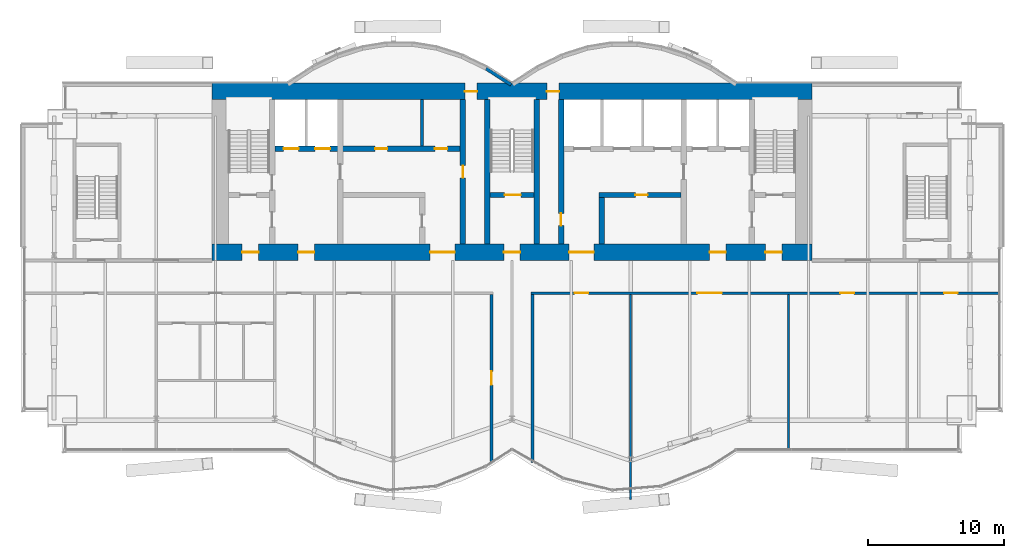
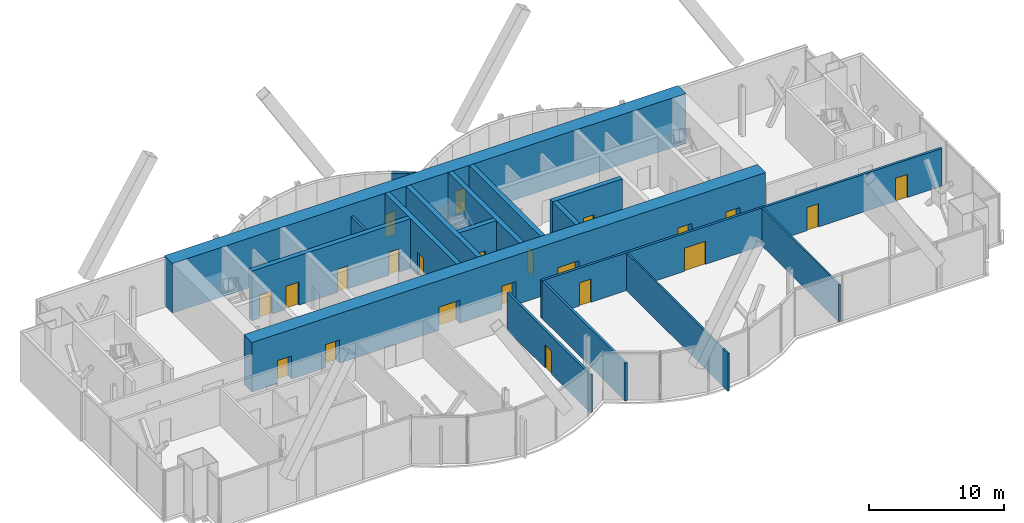
# One storey, part 14 of 19: 22 doors, 17 walls, 22 openings.
"""IFC4 building model written with IfcOpenShell, lengths in metres."""

from ifc_helpers import new_model, si_unit, direction, frame, frame_2d, origin, place, context, subcontext, project, spatial, rectangle, extrude, material, layer, layer_set, layer_usage, type_object, element, fill, save


model = new_model("IFC4")

# Units and contexts
model_context = context("Model", 3, precision=1e-05, world=origin(), true_north=direction((0.0, 1.0)))
body_context = subcontext(model_context, "Body", "Model", "MODEL_VIEW")
ifc_project = project(units=[si_unit("LENGTHUNIT", "METRE"), si_unit("AREAUNIT", "SQUARE_METRE"), si_unit("VOLUMEUNIT", "CUBIC_METRE"), si_unit("PLANEANGLEUNIT", "RADIAN"), si_unit("MASSUNIT", "GRAM", prefix="KILO")], contexts=[model_context])

# Site, building, storey
site_placement = place(None, origin())
site = spatial("IfcSite", under=ifc_project, at=site_placement, CompositionType="ELEMENT")
building_placement = place(site_placement, origin())
building = spatial("IfcBuilding", under=site, at=building_placement, Name="Bicima Exchange Tower", CompositionType="ELEMENT")
storey_placement = place(building_placement, frame((0.0, 0.0, 297.5)))
storey = spatial("IfcBuildingStorey", under=building, at=storey_placement, Name="L67", CompositionType="ELEMENT", Elevation=297.5)

# Wall, openings, doors
ifc_material_1 = material(Name="Gypsum board partition")
ifc_layer_1 = layer(ifc_material_1, 0.199951171875)
ifc_layer_set_1 = layer_set([ifc_layer_1], Name="Gypsum board partition")
wall_type_1 = type_object("IfcWallType", Name="Fire-rated gypsum partition 200 EI60", PredefinedType="PARTITIONING", material=ifc_layer_set_1)
wall_1_placement = place(storey_placement, frame((1.39990234375, -15.39990234375, 0.0), z_axis=(0.0, 0.0, 1.0), x_axis=(1.0, 0.0, 0.0)))
wall_1 = element("IfcWall", 1, at=wall_1_placement, inside=storey, type_object=wall_type_1, Name="partition wall 4", PredefinedType="PARTITIONING", context=body_context, shape_type="SweptSolid", body=[
    extrude(rectangle(XDim=34.280029296875, YDim=0.199951171875, at=frame_2d((17.14013671875, 0.0))), origin(), (0.0, 0.0, 1.0), 3.418212890625),
])
opening_1_placement = place(wall_1_placement, frame((3.199951171875, 0.0, 0.0)))
opening_1 = element("IfcOpeningElement", 2, at=opening_1_placement, cuts=wall_1, Name="Opening L67-015", PredefinedType="OPENING", context=body_context, shape_type="SweptSolid", body=[
    extrude(rectangle(XDim=1.0, YDim=2.10009765625, at=frame_2d((0.5, 1.050048828125))), frame((0.0, 0.11181640625, 0.0), z_axis=(0.0, -1.0, 0.0), x_axis=(1.0, 0.0, 0.0)), (0.0, 0.0, 1.0), 0.223876953125),
])
opening_2_placement = place(wall_1_placement, frame((12.199951171875, 0.0, 0.0)))
opening_2 = element("IfcOpeningElement", 3, at=opening_2_placement, cuts=wall_1, Name="Opening L67-016", PredefinedType="OPENING", context=body_context, shape_type="SweptSolid", body=[
    extrude(rectangle(XDim=1.800048828125, YDim=2.10009765625, at=frame_2d((0.89990234375, 1.050048828125))), frame((0.0, 0.11181640625, 0.0), z_axis=(0.0, -1.0, 0.0), x_axis=(1.0, 0.0, 0.0)), (0.0, 0.0, 1.0), 0.223876953125),
])
opening_3_placement = place(wall_1_placement, frame((22.699951171875, 0.0, 0.0)))
opening_3 = element("IfcOpeningElement", 4, at=opening_3_placement, cuts=wall_1, Name="Opening L67-017", PredefinedType="OPENING", context=body_context, shape_type="SweptSolid", body=[
    extrude(rectangle(XDim=1.0, YDim=2.10009765625, at=frame_2d((0.5, 1.050048828125))), frame((0.0, 0.11181640625, 0.0), z_axis=(0.0, -1.0, 0.0), x_axis=(1.0, 0.0, 0.0)), (0.0, 0.0, 1.0), 0.223876953125),
])
opening_4_placement = place(wall_1_placement, frame((30.300048828125, 0.0, 0.0)))
opening_4 = element("IfcOpeningElement", 5, at=opening_4_placement, cuts=wall_1, Name="Opening L67-018", PredefinedType="OPENING", context=body_context, shape_type="SweptSolid", body=[
    extrude(rectangle(XDim=1.0, YDim=2.10009765625, at=frame_2d((0.5, 1.050048828125))), frame((0.0, 0.11181640625, 0.0), z_axis=(0.0, -1.0, 0.0), x_axis=(1.0, 0.0, 0.0)), (0.0, 0.0, 1.0), 0.223876953125),
])
ifc_material_2 = material(Name="Steel fire door leaf", Category="steel")
door_type_1 = type_object("IfcDoorType", Name="Door 1000 swing FD30S", OperationType="SINGLE_SWING_LEFT", PredefinedType="DOOR", material=ifc_material_2)
door_1_placement = place(opening_1_placement, frame((1.0, 0.0, 0.0), z_axis=(0.0, 0.0, 1.0), x_axis=(-1.0, 0.0, 0.0)))
door_1 = element("IfcDoor", 6, at=door_1_placement, inside=storey, type_object=door_type_1, Name="Door", OperationType="SINGLE_SWING_RIGHT", OverallHeight=2.10009765625, OverallWidth=1.0, PredefinedType="DOOR", context=body_context, shape_type="SweptSolid", body=[
    extrude(rectangle(XDim=1.0, YDim=2.10009765625, at=frame_2d((0.5, 1.050048828125))), frame((0.0, 0.02490234375, 0.0), z_axis=(0.0, -1.0, 0.0), x_axis=(1.0, 0.0, 0.0)), (0.0, 0.0, 1.0), 0.050048828125),
])
fill(opening_1, door_1)
door_2_placement = place(opening_3_placement, frame((1.0, 0.0, 0.0), z_axis=(0.0, 0.0, 1.0), x_axis=(-1.0, 0.0, 0.0)))
door_2 = element("IfcDoor", 7, at=door_2_placement, inside=storey, type_object=door_type_1, Name="Door", OperationType="SINGLE_SWING_RIGHT", OverallHeight=2.10009765625, OverallWidth=1.0, PredefinedType="DOOR", context=body_context, shape_type="SweptSolid", body=[
    extrude(rectangle(XDim=1.0, YDim=2.10009765625, at=frame_2d((0.5, 1.050048828125))), frame((0.0, 0.02490234375, 0.0), z_axis=(0.0, -1.0, 0.0), x_axis=(1.0, 0.0, 0.0)), (0.0, 0.0, 1.0), 0.050048828125),
])
fill(opening_3, door_2)
door_3_placement = place(opening_4_placement, frame((1.0, 0.0, 0.0), z_axis=(0.0, 0.0, 1.0), x_axis=(-1.0, 0.0, 0.0)))
door_3 = element("IfcDoor", 8, at=door_3_placement, inside=storey, type_object=door_type_1, Name="Door", OperationType="SINGLE_SWING_RIGHT", OverallHeight=2.10009765625, OverallWidth=1.0, PredefinedType="DOOR", context=body_context, shape_type="SweptSolid", body=[
    extrude(rectangle(XDim=1.0, YDim=2.10009765625, at=frame_2d((0.5, 1.050048828125))), frame((0.0, 0.02490234375, 0.0), z_axis=(0.0, -1.0, 0.0), x_axis=(1.0, 0.0, 0.0)), (0.0, 0.0, 1.0), 0.050048828125),
])
fill(opening_4, door_3)
door_type_2 = type_object("IfcDoorType", Name="Door 1800 double swing FD30S", OperationType="DOUBLE_DOOR_SINGLE_SWING", PredefinedType="DOOR", material=ifc_material_2)
door_4_placement = place(opening_2_placement, origin())
door_4 = element("IfcDoor", 9, at=door_4_placement, inside=storey, type_object=door_type_2, Name="Door", OperationType="SINGLE_SWING_LEFT", OverallHeight=2.10009765625, OverallWidth=1.800048828125, PredefinedType="DOOR", context=body_context, shape_type="SweptSolid", body=[
    extrude(rectangle(XDim=1.800048828125, YDim=2.10009765625, at=frame_2d((0.89990234375, 1.050048828125))), frame((0.0, 0.02490234375, 0.0), z_axis=(0.0, -1.0, 0.0), x_axis=(1.0, 0.0, 0.0)), (0.0, 0.0, 1.0), 0.050048828125),
])
fill(opening_2, door_4)

# Wall, opening, door
wall_2_placement = place(storey_placement, frame((-1.5, -27.840087890625, 0.0), z_axis=(0.0, 0.0, 1.0), x_axis=(0.0, 1.0, 0.0)))
wall_2 = element("IfcWall", 10, at=wall_2_placement, inside=storey, type_object=wall_type_1, Name="partition wall 20", PredefinedType="PARTITIONING", context=body_context, shape_type="SweptSolid", body=[
    extrude(rectangle(XDim=12.340087890625, YDim=0.199951171875, at=frame_2d((6.169921875, 0.0))), origin(), (0.0, 0.0, 1.0), 3.418212890625),
])
opening_5_placement = place(wall_2_placement, frame((5.699951171875, 0.0, 0.0)))
opening_5 = element("IfcOpeningElement", 11, at=opening_5_placement, cuts=wall_2, Name="Opening L67-014", PredefinedType="OPENING", context=body_context, shape_type="SweptSolid", body=[
    extrude(rectangle(XDim=1.0, YDim=2.10009765625, at=frame_2d((0.5, 1.050048828125))), frame((0.0, 0.11181640625, 0.0), z_axis=(0.0, -1.0, 0.0), x_axis=(1.0, 0.0, 0.0)), (0.0, 0.0, 1.0), 0.223876953125),
])
door_5_placement = place(opening_5_placement, origin())
door_5 = element("IfcDoor", 12, at=door_5_placement, inside=storey, type_object=door_type_1, Name="Door", OperationType="SINGLE_SWING_LEFT", OverallHeight=2.10009765625, OverallWidth=1.0, PredefinedType="DOOR", context=body_context, shape_type="SweptSolid", body=[
    extrude(rectangle(XDim=1.0, YDim=2.10009765625, at=frame_2d((0.5, 1.050048828125))), frame((0.0, 0.02490234375, 0.0), z_axis=(0.0, -1.0, 0.0), x_axis=(1.0, 0.0, 0.0)), (0.0, 0.0, 1.0), 0.050048828125),
])
fill(opening_5, door_5)

# Walls
wall_3_placement = place(storey_placement, frame((1.5, -27.840087890625, 0.0), z_axis=(0.0, 0.0, 1.0), x_axis=(0.0, 1.0, 0.0)))
element("IfcWall", 13, at=wall_3_placement, inside=storey, type_object=wall_type_1, Name="partition wall 21", PredefinedType="PARTITIONING", context=body_context, shape_type="SweptSolid", body=[
    extrude(rectangle(XDim=12.340087890625, YDim=0.199951171875, at=frame_2d((6.169921875, 0.0))), origin(), (0.0, 0.0, 1.0), 3.418212890625),
])
wall_4_placement = place(storey_placement, frame((-6.60009765625, -4.60009765625, 0.0), z_axis=(0.0, 0.0, 1.0), x_axis=(0.0, 1.0, 0.0)))
element("IfcWall", 14, at=wall_4_placement, inside=storey, type_object=wall_type_1, Name="partition wall 12", PredefinedType="PARTITIONING", context=body_context, shape_type="SweptSolid", body=[
    extrude(rectangle(XDim=3.400146484375, YDim=0.199951171875, at=frame_2d((1.7001953125, 0.0))), origin(), (0.0, 0.0, 1.0), 3.418212890625),
])
ifc_layer_2 = layer(ifc_material_1, 0.14990234375)
ifc_layer_set_2 = layer_set([ifc_layer_2], Name="Gypsum board partition")
wall_type_2 = type_object("IfcWallType", Name="Gypsum partition 150", PredefinedType="PARTITIONING", material=ifc_layer_set_2)
wall_5_placement = place(storey_placement, frame((8.699951171875, -30.557861328125, 0.0), z_axis=(0.0, 0.0, 1.0), x_axis=(0.0, 1.0, 0.0)))
element("IfcWall", 15, at=wall_5_placement, inside=storey, type_object=wall_type_2, Name="partition wall 22", PredefinedType="PARTITIONING", context=body_context, shape_type="SweptSolid", body=[
    extrude(rectangle(XDim=15.057861328125, YDim=0.14990234375, at=frame_2d((7.52880859375, 0.0))), origin(), (0.0, 0.0, 1.0), 3.418212890625),
])
wall_6_placement = place(storey_placement, frame((20.300048828125, -26.909912109375, 0.0), z_axis=(0.0, 0.0, 1.0), x_axis=(0.0, 1.0, 0.0)))
element("IfcWall", 16, at=wall_6_placement, inside=storey, type_object=wall_type_2, Name="partition wall 23", PredefinedType="PARTITIONING", context=body_context, shape_type="SweptSolid", body=[
    extrude(rectangle(XDim=11.409912109375, YDim=0.14990234375, at=frame_2d((5.705078125, 0.0))), origin(), (0.0, 0.0, 1.0), 3.418212890625),
])

# Wall, openings, doors
ifc_material_3 = material(Name="Concrete C40/50", Category="concrete")
ifc_layer_3 = layer(ifc_material_3, 1.199951171875)
ifc_layer_set_3 = layer_set([ifc_layer_3], Name="Concrete C40/50")
wall_type_3 = type_object("IfcWallType", Name="RC core wall 1200 C40/50", PredefinedType="SHEAR", material=ifc_layer_set_3)
wall_7_placement = place(storey_placement, frame((-22.0, -0.60009765625, 0.0), z_axis=(0.0, 0.0, 1.0), x_axis=(1.0, 0.0, 0.0)))
wall_7 = element("IfcWall", 17, at=wall_7_placement, inside=storey, type_object=wall_type_3, Name="Core wall north", PredefinedType="SHEAR", context=body_context, shape_type="SweptSolid", body=[
    extrude(rectangle(XDim=44.0, YDim=1.199951171875, at=frame_2d((22.0, 0.0))), origin(), (0.0, 0.0, 1.0), 4.5),
])
opening_6_placement = place(wall_7_placement, frame((18.550048828125, 0.0, 0.0)))
opening_6 = element("IfcOpeningElement", 18, at=opening_6_placement, cuts=wall_7, Name="Opening L67-C16", PredefinedType="OPENING", context=body_context, shape_type="SweptSolid", body=[
    extrude(rectangle(XDim=0.89990234375, YDim=2.10009765625, at=frame_2d((0.449951171875, 1.050048828125))), frame((0.0, 0.61181640625, 0.0), z_axis=(0.0, -1.0, 0.0), x_axis=(1.0, 0.0, 0.0)), (0.0, 0.0, 1.0), 1.223876953125),
])
opening_7_placement = place(wall_7_placement, frame((24.550048828125, 0.0, 0.0)))
opening_7 = element("IfcOpeningElement", 19, at=opening_7_placement, cuts=wall_7, Name="Opening L67-C17", PredefinedType="OPENING", context=body_context, shape_type="SweptSolid", body=[
    extrude(rectangle(XDim=0.89990234375, YDim=2.10009765625, at=frame_2d((0.449951171875, 1.050048828125))), frame((0.0, 0.61181640625, 0.0), z_axis=(0.0, -1.0, 0.0), x_axis=(1.0, 0.0, 0.0)), (0.0, 0.0, 1.0), 1.223876953125),
])
door_type_3 = type_object("IfcDoorType", Name="Door 900 swing FD30S", OperationType="SINGLE_SWING_LEFT", PredefinedType="DOOR", material=ifc_material_2)
door_6_placement = place(opening_6_placement, origin())
door_6 = element("IfcDoor", 20, at=door_6_placement, inside=storey, type_object=door_type_3, Name="Core door", OperationType="SINGLE_SWING_LEFT", OverallHeight=2.10009765625, OverallWidth=0.89990234375, PredefinedType="DOOR", context=body_context, shape_type="SweptSolid", body=[
    extrude(rectangle(XDim=0.89990234375, YDim=2.10009765625, at=frame_2d((0.449951171875, 1.050048828125))), frame((0.0, 0.02490234375, 0.0), z_axis=(0.0, -1.0, 0.0), x_axis=(1.0, 0.0, 0.0)), (0.0, 0.0, 1.0), 0.050048828125),
])
fill(opening_6, door_6)
door_7_placement = place(opening_7_placement, origin())
door_7 = element("IfcDoor", 21, at=door_7_placement, inside=storey, type_object=door_type_3, Name="Core door", OperationType="SINGLE_SWING_LEFT", OverallHeight=2.10009765625, OverallWidth=0.89990234375, PredefinedType="DOOR", context=body_context, shape_type="SweptSolid", body=[
    extrude(rectangle(XDim=0.89990234375, YDim=2.10009765625, at=frame_2d((0.449951171875, 1.050048828125))), frame((0.0, 0.02490234375, 0.0), z_axis=(0.0, -1.0, 0.0), x_axis=(1.0, 0.0, 0.0)), (0.0, 0.0, 1.0), 0.050048828125),
])
fill(opening_7, door_7)

wall_8_placement = place(storey_placement, frame((-22.0, -12.39990234375, 0.0), z_axis=(0.0, 0.0, 1.0), x_axis=(1.0, 0.0, 0.0)))
wall_8 = element("IfcWall", 22, at=wall_8_placement, inside=storey, type_object=wall_type_3, Name="Core wall south", PredefinedType="SHEAR", context=body_context, shape_type="SweptSolid", body=[
    extrude(rectangle(XDim=44.0, YDim=1.199951171875, at=frame_2d((22.0, 0.0))), origin(), (0.0, 0.0, 1.0), 4.5),
])
opening_8_placement = place(wall_8_placement, frame((2.199951171875, 0.0, 0.0)))
opening_8 = element("IfcOpeningElement", 23, at=opening_8_placement, cuts=wall_8, Name="Opening L67-C18", PredefinedType="OPENING", context=body_context, shape_type="SweptSolid", body=[
    extrude(rectangle(XDim=1.199951171875, YDim=2.10009765625, at=frame_2d((0.60009765625, 1.050048828125))), frame((0.0, 0.61181640625, 0.0), z_axis=(0.0, -1.0, 0.0), x_axis=(1.0, 0.0, 0.0)), (0.0, 0.0, 1.0), 1.223876953125),
])
opening_9_placement = place(wall_8_placement, frame((21.39990234375, 0.0, 0.0)))
opening_9 = element("IfcOpeningElement", 24, at=opening_9_placement, cuts=wall_8, Name="Opening L67-C19", PredefinedType="OPENING", context=body_context, shape_type="SweptSolid", body=[
    extrude(rectangle(XDim=1.199951171875, YDim=2.10009765625, at=frame_2d((0.60009765625, 1.050048828125))), frame((0.0, 0.61181640625, 0.0), z_axis=(0.0, -1.0, 0.0), x_axis=(1.0, 0.0, 0.0)), (0.0, 0.0, 1.0), 1.223876953125),
])
opening_10_placement = place(wall_8_placement, frame((40.60009765625, 0.0, 0.0)))
opening_10 = element("IfcOpeningElement", 25, at=opening_10_placement, cuts=wall_8, Name="Opening L67-C20", PredefinedType="OPENING", context=body_context, shape_type="SweptSolid", body=[
    extrude(rectangle(XDim=1.199951171875, YDim=2.10009765625, at=frame_2d((0.60009765625, 1.050048828125))), frame((0.0, 0.61181640625, 0.0), z_axis=(0.0, -1.0, 0.0), x_axis=(1.0, 0.0, 0.0)), (0.0, 0.0, 1.0), 1.223876953125),
])
opening_11_placement = place(wall_8_placement, frame((16.0, 0.0, 0.0)))
opening_11 = element("IfcOpeningElement", 26, at=opening_11_placement, cuts=wall_8, Name="Opening L67-C21", PredefinedType="OPENING", context=body_context, shape_type="SweptSolid", body=[
    extrude(rectangle(XDim=1.800048828125, YDim=2.10009765625, at=frame_2d((0.89990234375, 1.050048828125))), frame((0.0, 0.61181640625, 0.0), z_axis=(0.0, -1.0, 0.0), x_axis=(1.0, 0.0, 0.0)), (0.0, 0.0, 1.0), 1.223876953125),
])
opening_12_placement = place(wall_8_placement, frame((6.300048828125, 0.0, 0.0)))
opening_12 = element("IfcOpeningElement", 27, at=opening_12_placement, cuts=wall_8, Name="Opening L67-C22", PredefinedType="OPENING", context=body_context, shape_type="SweptSolid", body=[
    extrude(rectangle(XDim=1.199951171875, YDim=2.10009765625, at=frame_2d((0.60009765625, 1.050048828125))), frame((0.0, 0.61181640625, 0.0), z_axis=(0.0, -1.0, 0.0), x_axis=(1.0, 0.0, 0.0)), (0.0, 0.0, 1.0), 1.223876953125),
])
opening_13_placement = place(wall_8_placement, frame((26.199951171875, 0.0, 0.0)))
opening_13 = element("IfcOpeningElement", 28, at=opening_13_placement, cuts=wall_8, Name="Opening L67-C23", PredefinedType="OPENING", context=body_context, shape_type="SweptSolid", body=[
    extrude(rectangle(XDim=1.800048828125, YDim=2.10009765625, at=frame_2d((0.89990234375, 1.050048828125))), frame((0.0, 0.61181640625, 0.0), z_axis=(0.0, -1.0, 0.0), x_axis=(1.0, 0.0, 0.0)), (0.0, 0.0, 1.0), 1.223876953125),
])
opening_14_placement = place(wall_8_placement, frame((36.5, 0.0, 0.0)))
opening_14 = element("IfcOpeningElement", 29, at=opening_14_placement, cuts=wall_8, Name="Opening L67-C24", PredefinedType="OPENING", context=body_context, shape_type="SweptSolid", body=[
    extrude(rectangle(XDim=1.199951171875, YDim=2.10009765625, at=frame_2d((0.60009765625, 1.050048828125))), frame((0.0, 0.61181640625, 0.0), z_axis=(0.0, -1.0, 0.0), x_axis=(1.0, 0.0, 0.0)), (0.0, 0.0, 1.0), 1.223876953125),
])
door_type_4 = type_object("IfcDoorType", Name="Door 1200 swing FD60S", OperationType="SINGLE_SWING_LEFT", PredefinedType="DOOR", material=ifc_material_2)
door_8_placement = place(opening_8_placement, frame((1.199951171875, 0.0, 0.0), z_axis=(0.0, 0.0, 1.0), x_axis=(-1.0, 0.0, 0.0)))
door_8 = element("IfcDoor", 30, at=door_8_placement, inside=storey, type_object=door_type_4, Name="Core door", OperationType="SINGLE_SWING_RIGHT", OverallHeight=2.10009765625, OverallWidth=1.199951171875, PredefinedType="DOOR", context=body_context, shape_type="SweptSolid", body=[
    extrude(rectangle(XDim=1.199951171875, YDim=2.10009765625, at=frame_2d((0.60009765625, 1.050048828125))), frame((0.0, 0.02490234375, 0.0), z_axis=(0.0, -1.0, 0.0), x_axis=(1.0, 0.0, 0.0)), (0.0, 0.0, 1.0), 0.050048828125),
])
fill(opening_8, door_8)
door_9_placement = place(opening_9_placement, frame((1.199951171875, 0.0, 0.0), z_axis=(0.0, 0.0, 1.0), x_axis=(-1.0, 0.0, 0.0)))
door_9 = element("IfcDoor", 31, at=door_9_placement, inside=storey, type_object=door_type_4, Name="Core door", OperationType="SINGLE_SWING_RIGHT", OverallHeight=2.10009765625, OverallWidth=1.199951171875, PredefinedType="DOOR", context=body_context, shape_type="SweptSolid", body=[
    extrude(rectangle(XDim=1.199951171875, YDim=2.10009765625, at=frame_2d((0.60009765625, 1.050048828125))), frame((0.0, 0.02490234375, 0.0), z_axis=(0.0, -1.0, 0.0), x_axis=(1.0, 0.0, 0.0)), (0.0, 0.0, 1.0), 0.050048828125),
])
fill(opening_9, door_9)
door_10_placement = place(opening_10_placement, frame((1.199951171875, 0.0, 0.0), z_axis=(0.0, 0.0, 1.0), x_axis=(-1.0, 0.0, 0.0)))
door_10 = element("IfcDoor", 32, at=door_10_placement, inside=storey, type_object=door_type_4, Name="Core door", OperationType="SINGLE_SWING_RIGHT", OverallHeight=2.10009765625, OverallWidth=1.199951171875, PredefinedType="DOOR", context=body_context, shape_type="SweptSolid", body=[
    extrude(rectangle(XDim=1.199951171875, YDim=2.10009765625, at=frame_2d((0.60009765625, 1.050048828125))), frame((0.0, 0.02490234375, 0.0), z_axis=(0.0, -1.0, 0.0), x_axis=(1.0, 0.0, 0.0)), (0.0, 0.0, 1.0), 0.050048828125),
])
fill(opening_10, door_10)
door_11_placement = place(opening_12_placement, frame((1.199951171875, 0.0, 0.0), z_axis=(0.0, 0.0, 1.0), x_axis=(-1.0, 0.0, 0.0)))
door_11 = element("IfcDoor", 33, at=door_11_placement, inside=storey, type_object=door_type_4, Name="Core door", OperationType="SINGLE_SWING_RIGHT", OverallHeight=2.10009765625, OverallWidth=1.199951171875, PredefinedType="DOOR", context=body_context, shape_type="SweptSolid", body=[
    extrude(rectangle(XDim=1.199951171875, YDim=2.10009765625, at=frame_2d((0.60009765625, 1.050048828125))), frame((0.0, 0.02490234375, 0.0), z_axis=(0.0, -1.0, 0.0), x_axis=(1.0, 0.0, 0.0)), (0.0, 0.0, 1.0), 0.050048828125),
])
fill(opening_12, door_11)
door_12_placement = place(opening_14_placement, frame((1.199951171875, 0.0, 0.0), z_axis=(0.0, 0.0, 1.0), x_axis=(-1.0, 0.0, 0.0)))
door_12 = element("IfcDoor", 34, at=door_12_placement, inside=storey, type_object=door_type_4, Name="Core door", OperationType="SINGLE_SWING_RIGHT", OverallHeight=2.10009765625, OverallWidth=1.199951171875, PredefinedType="DOOR", context=body_context, shape_type="SweptSolid", body=[
    extrude(rectangle(XDim=1.199951171875, YDim=2.10009765625, at=frame_2d((0.60009765625, 1.050048828125))), frame((0.0, 0.02490234375, 0.0), z_axis=(0.0, -1.0, 0.0), x_axis=(1.0, 0.0, 0.0)), (0.0, 0.0, 1.0), 0.050048828125),
])
fill(opening_14, door_12)
door_13_placement = place(opening_11_placement, origin())
door_13 = element("IfcDoor", 35, at=door_13_placement, inside=storey, type_object=door_type_2, Name="Core door", OperationType="SINGLE_SWING_LEFT", OverallHeight=2.10009765625, OverallWidth=1.800048828125, PredefinedType="DOOR", context=body_context, shape_type="SweptSolid", body=[
    extrude(rectangle(XDim=1.800048828125, YDim=2.10009765625, at=frame_2d((0.89990234375, 1.050048828125))), frame((0.0, 0.02490234375, 0.0), z_axis=(0.0, -1.0, 0.0), x_axis=(1.0, 0.0, 0.0)), (0.0, 0.0, 1.0), 0.050048828125),
])
fill(opening_11, door_13)
door_14_placement = place(opening_13_placement, origin())
door_14 = element("IfcDoor", 36, at=door_14_placement, inside=storey, type_object=door_type_2, Name="Core door", OperationType="SINGLE_SWING_LEFT", OverallHeight=2.10009765625, OverallWidth=1.800048828125, PredefinedType="DOOR", context=body_context, shape_type="SweptSolid", body=[
    extrude(rectangle(XDim=1.800048828125, YDim=2.10009765625, at=frame_2d((0.89990234375, 1.050048828125))), frame((0.0, 0.02490234375, 0.0), z_axis=(0.0, -1.0, 0.0), x_axis=(1.0, 0.0, 0.0)), (0.0, 0.0, 1.0), 0.050048828125),
])
fill(opening_13, door_14)

# Wall, opening, door
ifc_layer_4 = layer(ifc_material_3, 0.39990234375)
ifc_layer_set_4 = layer_set([ifc_layer_4], Name="Concrete C40/50")
wall_type_4 = type_object("IfcWallType", Name="RC core wall 400 C40/50", PredefinedType="SHEAR", material=ifc_layer_set_4)
wall_9_placement = place(storey_placement, frame((6.39990234375, -8.199951171875, 0.0), z_axis=(0.0, 0.0, 1.0), x_axis=(1.0, 0.0, 0.0)))
wall_9 = element("IfcWall", 37, at=wall_9_placement, inside=storey, type_object=wall_type_4, Name="shear wall 4", PredefinedType="SHEAR", context=body_context, shape_type="SweptSolid", body=[
    extrude(rectangle(XDim=6.0, YDim=0.39990234375, at=frame_2d((3.0, 0.0))), origin(), (0.0, 0.0, 1.0), 4.5),
])
opening_15_placement = place(wall_9_placement, frame((2.64990234375, 0.0, 0.0)))
opening_15 = element("IfcOpeningElement", 38, at=opening_15_placement, cuts=wall_9, Name="Opening L67-C15", PredefinedType="OPENING", context=body_context, shape_type="SweptSolid", body=[
    extrude(rectangle(XDim=0.89990234375, YDim=2.10009765625, at=frame_2d((0.449951171875, 1.050048828125))), frame((0.0, 0.2119140625, 0.0), z_axis=(0.0, -1.0, 0.0), x_axis=(1.0, 0.0, 0.0)), (0.0, 0.0, 1.0), 0.423828125),
])
door_15_placement = place(opening_15_placement, frame((0.89990234375, 0.0, 0.0), z_axis=(0.0, 0.0, 1.0), x_axis=(-1.0, 0.0, 0.0)))
door_15 = element("IfcDoor", 39, at=door_15_placement, inside=storey, type_object=door_type_3, Name="Core door", OperationType="SINGLE_SWING_RIGHT", OverallHeight=2.10009765625, OverallWidth=0.89990234375, PredefinedType="DOOR", context=body_context, shape_type="SweptSolid", body=[
    extrude(rectangle(XDim=0.89990234375, YDim=2.10009765625, at=frame_2d((0.449951171875, 1.050048828125))), frame((0.0, 0.02490234375, 0.0), z_axis=(0.0, -1.0, 0.0), x_axis=(1.0, 0.0, 0.0)), (0.0, 0.0, 1.0), 0.050048828125),
])
fill(opening_15, door_15)

# Wall, openings, doors
wall_10_placement = place(storey_placement, frame((-17.39990234375, -4.800048828125, 0.0), z_axis=(0.0, 0.0, 1.0), x_axis=(1.0, 0.0, 0.0)))
wall_10 = element("IfcWall", 40, at=wall_10_placement, inside=storey, type_object=wall_type_4, Name="shear wall 6", PredefinedType="SHEAR", context=body_context, shape_type="SweptSolid", body=[
    extrude(rectangle(XDim=13.599853515625, YDim=0.39990234375, at=frame_2d((6.7998046875, 0.0))), origin(), (0.0, 0.0, 1.0), 4.5),
])
opening_16_placement = place(wall_10_placement, frame((0.64990234375, 0.0, 0.0)))
opening_16 = element("IfcOpeningElement", 41, at=opening_16_placement, cuts=wall_10, Name="Opening LD-FF1-L67", PredefinedType="OPENING", context=body_context, shape_type="SweptSolid", body=[
    extrude(rectangle(XDim=1.10009765625, YDim=2.10009765625, at=frame_2d((0.550048828125, 1.050048828125))), frame((0.0, 0.2119140625, 0.0), z_axis=(0.0, -1.0, 0.0), x_axis=(1.0, 0.0, 0.0)), (0.0, 0.0, 1.0), 0.423828125),
])
opening_17_placement = place(wall_10_placement, frame((2.949951171875, 0.0, 0.0)))
opening_17 = element("IfcOpeningElement", 42, at=opening_17_placement, cuts=wall_10, Name="Opening LD-FF3-L67", PredefinedType="OPENING", context=body_context, shape_type="SweptSolid", body=[
    extrude(rectangle(XDim=1.10009765625, YDim=2.10009765625, at=frame_2d((0.550048828125, 1.050048828125))), frame((0.0, 0.2119140625, 0.0), z_axis=(0.0, -1.0, 0.0), x_axis=(1.0, 0.0, 0.0)), (0.0, 0.0, 1.0), 0.423828125),
])
opening_18_placement = place(wall_10_placement, frame((7.35009765625, 0.0, 0.0)))
opening_18 = element("IfcOpeningElement", 43, at=opening_18_placement, cuts=wall_10, Name="Opening L67-C12", PredefinedType="OPENING", context=body_context, shape_type="SweptSolid", body=[
    extrude(rectangle(XDim=0.89990234375, YDim=2.10009765625, at=frame_2d((0.449951171875, 1.050048828125))), frame((0.0, 0.2119140625, 0.0), z_axis=(0.0, -1.0, 0.0), x_axis=(1.0, 0.0, 0.0)), (0.0, 0.0, 1.0), 0.423828125),
])
opening_19_placement = place(wall_10_placement, frame((11.75, 0.0, 0.0)))
opening_19 = element("IfcOpeningElement", 44, at=opening_19_placement, cuts=wall_10, Name="Opening L67-C13", PredefinedType="OPENING", context=body_context, shape_type="SweptSolid", body=[
    extrude(rectangle(XDim=0.89990234375, YDim=2.10009765625, at=frame_2d((0.449951171875, 1.050048828125))), frame((0.0, 0.2119140625, 0.0), z_axis=(0.0, -1.0, 0.0), x_axis=(1.0, 0.0, 0.0)), (0.0, 0.0, 1.0), 0.423828125),
])
door_16_placement = place(opening_18_placement, origin())
door_16 = element("IfcDoor", 45, at=door_16_placement, inside=storey, type_object=door_type_3, Name="Core door", OperationType="SINGLE_SWING_RIGHT", OverallHeight=2.10009765625, OverallWidth=0.89990234375, PredefinedType="DOOR", context=body_context, shape_type="SweptSolid", body=[
    extrude(rectangle(XDim=0.89990234375, YDim=2.10009765625, at=frame_2d((0.449951171875, 1.050048828125))), frame((0.0, 0.02490234375, 0.0), z_axis=(0.0, -1.0, 0.0), x_axis=(1.0, 0.0, 0.0)), (0.0, 0.0, 1.0), 0.050048828125),
])
fill(opening_18, door_16)
door_17_placement = place(opening_19_placement, origin())
door_17 = element("IfcDoor", 46, at=door_17_placement, inside=storey, type_object=door_type_3, Name="Core door", OperationType="SINGLE_SWING_LEFT", OverallHeight=2.10009765625, OverallWidth=0.89990234375, PredefinedType="DOOR", context=body_context, shape_type="SweptSolid", body=[
    extrude(rectangle(XDim=0.89990234375, YDim=2.10009765625, at=frame_2d((0.449951171875, 1.050048828125))), frame((0.0, 0.02490234375, 0.0), z_axis=(0.0, -1.0, 0.0), x_axis=(1.0, 0.0, 0.0)), (0.0, 0.0, 1.0), 0.050048828125),
])
fill(opening_19, door_17)
ifc_material_4 = material(Name="Stainless steel", Category="steel")
door_type_5 = type_object("IfcDoorType", Name="Lift landing door 1100 sliding", OperationType="DOUBLE_DOOR_SLIDING", PredefinedType="DOOR", material=ifc_material_4)
door_18_placement = place(opening_16_placement, origin())
door_18 = element("IfcDoor", 47, at=door_18_placement, inside=storey, type_object=door_type_5, Name="Lift landing door FF1", OperationType="DOUBLE_DOOR_SLIDING", OverallHeight=2.10009765625, OverallWidth=1.10009765625, PredefinedType="DOOR", context=body_context, shape_type="SweptSolid", body=[
    extrude(rectangle(XDim=1.10009765625, YDim=2.10009765625, at=frame_2d((0.550048828125, 1.050048828125))), frame((0.0, 0.02490234375, 0.0), z_axis=(0.0, -1.0, 0.0), x_axis=(1.0, 0.0, 0.0)), (0.0, 0.0, 1.0), 0.050048828125),
])
fill(opening_16, door_18)
door_19_placement = place(opening_17_placement, origin())
door_19 = element("IfcDoor", 48, at=door_19_placement, inside=storey, type_object=door_type_5, Name="Lift landing door FF3", OperationType="DOUBLE_DOOR_SLIDING", OverallHeight=2.10009765625, OverallWidth=1.10009765625, PredefinedType="DOOR", context=body_context, shape_type="SweptSolid", body=[
    extrude(rectangle(XDim=1.10009765625, YDim=2.10009765625, at=frame_2d((0.550048828125, 1.050048828125))), frame((0.0, 0.02490234375, 0.0), z_axis=(0.0, -1.0, 0.0), x_axis=(1.0, 0.0, 0.0)), (0.0, 0.0, 1.0), 0.050048828125),
])
fill(opening_17, door_19)

# Wall, opening, door
wall_11_placement = place(storey_placement, frame((-3.60009765625, -11.800048828125, 0.0), z_axis=(0.0, 0.0, 1.0), x_axis=(0.0, 1.0, 0.0)))
wall_11 = element("IfcWall", 49, at=wall_11_placement, inside=storey, type_object=wall_type_4, Name="shear wall 13", PredefinedType="SHEAR", context=body_context, shape_type="SweptSolid", body=[
    extrude(rectangle(XDim=10.60009765625, YDim=0.39990234375, at=frame_2d((5.300048828125, 0.0))), origin(), (0.0, 0.0, 1.0), 4.5),
])
opening_20_placement = place(wall_11_placement, frame((4.85009765625, 0.0, 0.0)))
opening_20 = element("IfcOpeningElement", 50, at=opening_20_placement, cuts=wall_11, Name="Opening L67-C10", PredefinedType="OPENING", context=body_context, shape_type="SweptSolid", body=[
    extrude(rectangle(XDim=0.89990234375, YDim=2.10009765625, at=frame_2d((0.449951171875, 1.050048828125))), frame((0.0, 0.2119140625, 0.0), z_axis=(0.0, -1.0, 0.0), x_axis=(1.0, 0.0, 0.0)), (0.0, 0.0, 1.0), 0.423828125),
])
door_20_placement = place(opening_20_placement, frame((0.89990234375, 0.0, 0.0), z_axis=(0.0, 0.0, 1.0), x_axis=(-1.0, 0.0, 0.0)))
door_20 = element("IfcDoor", 51, at=door_20_placement, inside=storey, type_object=door_type_3, Name="Core door", OperationType="SINGLE_SWING_LEFT", OverallHeight=2.10009765625, OverallWidth=0.89990234375, PredefinedType="DOOR", context=body_context, shape_type="SweptSolid", body=[
    extrude(rectangle(XDim=0.89990234375, YDim=2.10009765625, at=frame_2d((0.449951171875, 1.050048828125))), frame((0.0, 0.02490234375, 0.0), z_axis=(0.0, -1.0, 0.0), x_axis=(1.0, 0.0, 0.0)), (0.0, 0.0, 1.0), 0.050048828125),
])
fill(opening_20, door_20)

wall_12_placement = place(storey_placement, frame((3.60009765625, -11.800048828125, 0.0), z_axis=(0.0, 0.0, 1.0), x_axis=(0.0, 1.0, 0.0)))
wall_12 = element("IfcWall", 52, at=wall_12_placement, inside=storey, type_object=wall_type_4, Name="shear wall 16", PredefinedType="SHEAR", context=body_context, shape_type="SweptSolid", body=[
    extrude(rectangle(XDim=10.60009765625, YDim=0.39990234375, at=frame_2d((5.300048828125, 0.0))), origin(), (0.0, 0.0, 1.0), 4.5),
])
opening_21_placement = place(wall_12_placement, frame((1.35009765625, 0.0, 0.0)))
opening_21 = element("IfcOpeningElement", 53, at=opening_21_placement, cuts=wall_12, Name="Opening L67-C11", PredefinedType="OPENING", context=body_context, shape_type="SweptSolid", body=[
    extrude(rectangle(XDim=0.89990234375, YDim=2.10009765625, at=frame_2d((0.449951171875, 1.050048828125))), frame((0.0, 0.2119140625, 0.0), z_axis=(0.0, -1.0, 0.0), x_axis=(1.0, 0.0, 0.0)), (0.0, 0.0, 1.0), 0.423828125),
])
door_21_placement = place(opening_21_placement, origin())
door_21 = element("IfcDoor", 54, at=door_21_placement, inside=storey, type_object=door_type_3, Name="Core door", OperationType="SINGLE_SWING_LEFT", OverallHeight=2.10009765625, OverallWidth=0.89990234375, PredefinedType="DOOR", context=body_context, shape_type="SweptSolid", body=[
    extrude(rectangle(XDim=0.89990234375, YDim=2.10009765625, at=frame_2d((0.449951171875, 1.050048828125))), frame((0.0, 0.02490234375, 0.0), z_axis=(0.0, -1.0, 0.0), x_axis=(1.0, 0.0, 0.0)), (0.0, 0.0, 1.0), 0.050048828125),
])
fill(opening_21, door_21)

# Wall
wall_13_placement = place(storey_placement, frame((6.60009765625, -11.800048828125, 0.0), z_axis=(0.0, 0.0, 1.0), x_axis=(0.0, 1.0, 0.0)))
element("IfcWall", 55, at=wall_13_placement, inside=storey, type_object=wall_type_4, Name="shear wall 17", PredefinedType="SHEAR", context=body_context, shape_type="SweptSolid", body=[
    extrude(rectangle(XDim=3.400146484375, YDim=0.39990234375, at=frame_2d((1.7001953125, 0.0))), origin(), (0.0, 0.0, 1.0), 4.5),
])

# Wall, opening, door
ifc_material_5 = material(Name="Concrete C50/60", Category="concrete")
ifc_layer_5 = layer(ifc_material_5, 0.39990234375)
ifc_layer_set_5 = layer_set([ifc_layer_5], Name="Concrete C50/60")
wall_type_5 = type_object("IfcWallType", Name="RC core wall 400 C50/60", PredefinedType="SHEAR", material=ifc_layer_set_5)
wall_14_placement = place(storey_placement, frame((-1.60009765625, -8.199951171875, 0.0), z_axis=(0.0, 0.0, 1.0), x_axis=(1.0, 0.0, 0.0)))
wall_14 = element("IfcWall", 56, at=wall_14_placement, inside=storey, type_object=wall_type_5, Name="stair wall 3", PredefinedType="SHEAR", context=body_context, shape_type="SweptSolid", body=[
    extrude(rectangle(XDim=3.2001953125, YDim=0.39990234375, at=frame_2d((1.60009765625, 0.0))), origin(), (0.0, 0.0, 1.0), 4.5),
])
opening_22_placement = place(wall_14_placement, frame((1.050048828125, 0.0, 0.0)))
opening_22 = element("IfcOpeningElement", 57, at=opening_22_placement, cuts=wall_14, Name="Opening L67-C03", PredefinedType="OPENING", context=body_context, shape_type="SweptSolid", body=[
    extrude(rectangle(XDim=1.199951171875, YDim=2.10009765625, at=frame_2d((0.60009765625, 1.050048828125))), frame((0.0, 0.2119140625, 0.0), z_axis=(0.0, -1.0, 0.0), x_axis=(1.0, 0.0, 0.0)), (0.0, 0.0, 1.0), 0.423828125),
])
door_22_placement = place(opening_22_placement, origin())
door_22 = element("IfcDoor", 58, at=door_22_placement, inside=storey, type_object=door_type_4, Name="Core door", OperationType="SINGLE_SWING_LEFT", OverallHeight=2.10009765625, OverallWidth=1.199951171875, PredefinedType="DOOR", context=body_context, shape_type="SweptSolid", body=[
    extrude(rectangle(XDim=1.199951171875, YDim=2.10009765625, at=frame_2d((0.60009765625, 1.050048828125))), frame((0.0, 0.02490234375, 0.0), z_axis=(0.0, -1.0, 0.0), x_axis=(1.0, 0.0, 0.0)), (0.0, 0.0, 1.0), 0.050048828125),
])
fill(opening_22, door_22)

# Walls
for number, where, z_axis, x_axis, name in (
    (59, (-1.800048828125, -11.800048828125, 0.0), (0.0, 0.0, 1.0), (0.0, 1.0, 0.0), "stair wall 14"),
    (60, (1.800048828125, -11.800048828125, 0.0), (0.0, 0.0, 1.0), (0.0, 1.0, 0.0), "stair wall 15"),
):
    element("IfcWall", number, at=place(storey_placement, frame(where, z_axis=z_axis, x_axis=x_axis)), inside=storey, type_object=wall_type_5, Name=name, PredefinedType="SHEAR", context=body_context, shape_type="SweptSolid", body=[
        extrude(rectangle(XDim=10.60009765625, YDim=0.39990234375, at=frame_2d((5.300048828125, 0.0))), origin(), (0.0, 0.0, 1.0), 4.5),
    ])
ifc_layer_6 = layer(ifc_material_3, 0.25)
ifc_layer_set_6 = layer_set([ifc_layer_6], Name="Concrete C40/50")
ifc_layer_usage = layer_usage(ifc_layer_set_6, "AXIS2", "POSITIVE", -0.125)
wall_type_6 = type_object("IfcWallType", Name="Rear backup wall 250", PredefinedType="STANDARD", material=ifc_layer_set_6)
wall_15_placement = place(storey_placement, frame((-0.06787109375, -0.10498046875, 0.0), z_axis=(0.0, 0.0, 1.0), x_axis=(-0.83981312244, 0.542875602121, 0.0)))
element("IfcWall", 61, at=wall_15_placement, inside=storey, type_object=wall_type_6, material=ifc_layer_usage, Name="Rear backup wall L67 11", PredefinedType="STANDARD", context=body_context, shape_type="SweptSolid", body=[
    extrude(rectangle(XDim=2.182861328125, YDim=0.25, at=frame_2d((1.09130859375, 0.0))), origin(), (0.0, 0.0, 1.0), 4.35009765625),
])

save(model, "model.ifc")
